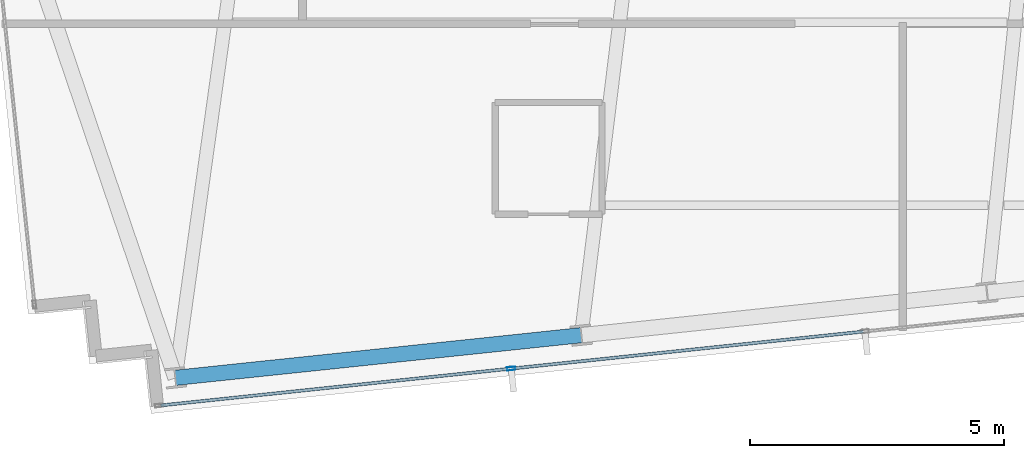
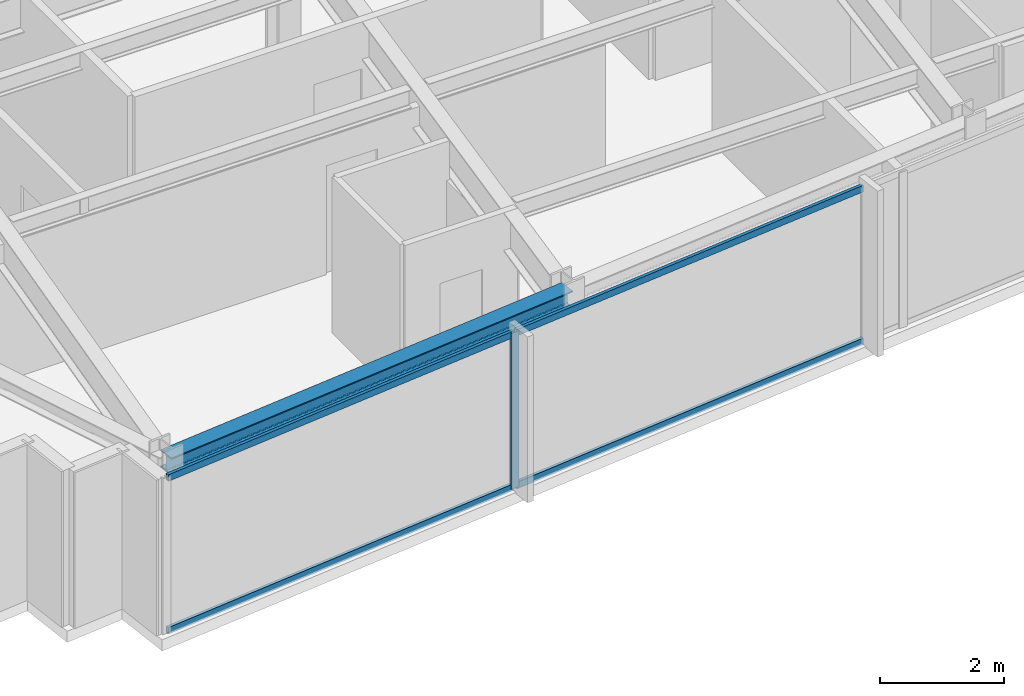
# One storey, part 3 of 32: 5 members, 1 beam, 1 element without a shape of its own.
"""IFC4 building model written with IfcOpenShell, lengths in metres."""

from ifc_helpers import new_model, si_unit, direction, frame, origin, origin_2d, place, context, subcontext, project, spatial, hollow_rectangle, i_section, extrude, material, material_profile, profile_set, type_object, element, aggregate, save


model = new_model("IFC4")

# Units and contexts
model_context = context("Model", 3, precision=1e-05, world=origin(), true_north=direction((0.0, 1.0)))
body_context = subcontext(model_context, "Body", "Model", "MODEL_VIEW")
ifc_project = project(units=[si_unit("LENGTHUNIT", "METRE"), si_unit("AREAUNIT", "SQUARE_METRE"), si_unit("VOLUMEUNIT", "CUBIC_METRE"), si_unit("PLANEANGLEUNIT", "RADIAN"), si_unit("MASSUNIT", "GRAM", prefix="KILO")], contexts=[model_context])

# Site, building, storey
site_placement = place(None, origin())
site = spatial("IfcSite", under=ifc_project, at=site_placement, CompositionType="ELEMENT")
building_placement = place(site_placement, origin())
building = spatial("IfcBuilding", under=site, at=building_placement, Name="Yelkora Congress Tower", CompositionType="ELEMENT")
storey_placement = place(building_placement, frame((0.0, 0.0, 217.699951171875)))
storey = spatial("IfcBuildingStorey", under=building, at=storey_placement, Name="L60", CompositionType="ELEMENT", Elevation=217.699951171875)

# Beam
ifc_material_1 = material(Name="Steel S355J2", Category="steel")
ifc_material_profile_1 = material_profile(ifc_material_1, i_section(OverallWidth=0.300048828125, OverallDepth=0.340087890625, WebThickness=0.011962890625, FlangeThickness=0.021484375, FilletRadius=0.027099609375, at=origin_2d()), Name="HEB 340")
ifc_profile_set_1 = profile_set([ifc_material_profile_1], Name="Steel S355J2")
beam_type = type_object("IfcBeamType", Name="BM-SPAN-HEB340", PredefinedType="SPANDREL", material=ifc_profile_set_1)
beam_placement = place(storey_placement, frame((21.299072265625, 12.678466796875, 2.91015625), z_axis=(0.994520097542, 0.104545567032, 0.0), x_axis=(-0.104545567032, 0.994520097542, 0.0)))
element("IfcBeam", 1, at=beam_placement, inside=storey, type_object=beam_type, Name="L60 Perimeter Beam 3", PredefinedType="SPANDREL", context=body_context, shape_type="SweptSolid", body=[
    extrude(i_section(OverallWidth=0.300048828125, OverallDepth=0.340087890625, WebThickness=0.011962890625, FlangeThickness=0.021484375, FilletRadius=0.027099609375, at=origin_2d()), origin(), (0.0, 0.0, 1.0), 8.033203125),
])

# Curtain wall, members
ifc_material_2 = material(Name="Anodised aluminium and insulated glass", Category="aluminium")
curtain_wall_type = type_object("IfcCurtainWallType", Name="CW-SYS-B4", PredefinedType="NOTDEFINED", material=ifc_material_2)
curtain_wall_placement = place(storey_placement, origin())
curtain_wall = element("IfcCurtainWall", 2, at=curtain_wall_placement, inside=storey, type_object=curtain_wall_type, Name="L60 Unitised Curtain Wall 20", PredefinedType="NOTDEFINED")
ifc_material_3 = material(Name="Anodised aluminium 6063-T6", Category="aluminium")
ifc_material_profile_2 = material_profile(ifc_material_3, hollow_rectangle(XDim=0.06494140625, YDim=0.159912109375, WallThickness=0.00390625, at=origin_2d()), Name="ALU 65x160x4")
ifc_profile_set_2 = profile_set([ifc_material_profile_2], Name="Anodised aluminium 6063-T6")
member_type_1 = type_object("IfcMemberType", Name="MEM-ML-B4", PredefinedType="MULLION", material=ifc_profile_set_2)
member_1_placement = place(storey_placement, frame((27.9091796875, 12.860595703125, 0.0), z_axis=(0.0, 0.0, 1.0), x_axis=(0.104526664994, -0.994522084373, 0.0)))
member_1 = element("IfcMember", 3, at=member_1_placement, type_object=member_type_1, Name="CW-B4 mullion 7", PredefinedType="MULLION", context=body_context, shape_type="SweptSolid", body=[
    extrude(hollow_rectangle(XDim=0.06494140625, YDim=0.159912109375, WallThickness=0.00390625, at=origin_2d()), origin(), (0.0, 0.0, 1.0), 3.080078125),
])
ifc_material_profile_3 = material_profile(ifc_material_3, hollow_rectangle(XDim=0.06005859375, YDim=0.1298828125, WallThickness=0.00390625, at=origin_2d()), Name="ALU 60x130x4")
ifc_profile_set_3 = profile_set([ifc_material_profile_3], Name="Anodised aluminium 6063-T6")
member_type_2 = type_object("IfcMemberType", Name="MEM-TR-B4", PredefinedType="USERDEFINED", material=ifc_profile_set_3)
member_2_placement = place(storey_placement, frame((34.84130859375, 13.589111328125, 0.030029296875), z_axis=(-0.994519904787, -0.104547400648, 0.0), x_axis=(0.104547400648, -0.994519904787, 0.0)))
member_2 = element("IfcMember", 4, at=member_2_placement, type_object=member_type_2, Name="CW-B4 transom 6.1", ObjectType="TRANSOM", PredefinedType="USERDEFINED", context=body_context, shape_type="SweptSolid", body=[
    extrude(hollow_rectangle(XDim=0.06005859375, YDim=0.1298828125, WallThickness=0.00390625, at=origin_2d()), origin(), (0.0, 0.0, 1.0), 6.93798828125),
])
member_3_placement = place(storey_placement, frame((34.84130859375, 13.589111328125, 3.050048828125), z_axis=(-0.994519904787, -0.104547400648, 0.0), x_axis=(0.104547400648, -0.994519904787, 0.0)))
member_3 = element("IfcMember", 5, at=member_3_placement, type_object=member_type_2, Name="CW-B4 transom 6.2", ObjectType="TRANSOM", PredefinedType="USERDEFINED", context=body_context, shape_type="SweptSolid", body=[
    extrude(hollow_rectangle(XDim=0.06005859375, YDim=0.1298828125, WallThickness=0.00390625, at=origin_2d()), origin(), (0.0, 0.0, 1.0), 6.93798828125),
])
member_4_placement = place(storey_placement, frame((27.876708984375, 12.857177734375, 0.030029296875), z_axis=(-0.994519973075, -0.104546751053, 0.0), x_axis=(0.104546751053, -0.994519973075, 0.0)))
member_4 = element("IfcMember", 6, at=member_4_placement, type_object=member_type_2, Name="CW-B4 transom 7.1", ObjectType="TRANSOM", PredefinedType="USERDEFINED", context=body_context, shape_type="SweptSolid", body=[
    extrude(hollow_rectangle(XDim=0.06005859375, YDim=0.1298828125, WallThickness=0.00390625, at=origin_2d()), origin(), (0.0, 0.0, 1.0), 6.9052734375),
])
member_5_placement = place(storey_placement, frame((27.876708984375, 12.857177734375, 3.050048828125), z_axis=(-0.994519973075, -0.104546751053, 0.0), x_axis=(0.104546751053, -0.994519973075, 0.0)))
member_5 = element("IfcMember", 7, at=member_5_placement, type_object=member_type_2, Name="CW-B4 transom 7.2", ObjectType="TRANSOM", PredefinedType="USERDEFINED", context=body_context, shape_type="SweptSolid", body=[
    extrude(hollow_rectangle(XDim=0.06005859375, YDim=0.1298828125, WallThickness=0.00390625, at=origin_2d()), origin(), (0.0, 0.0, 1.0), 6.9052734375),
])
aggregate(curtain_wall, [member_1, member_2, member_3, member_4, member_5])

save(model, "model.ifc")
